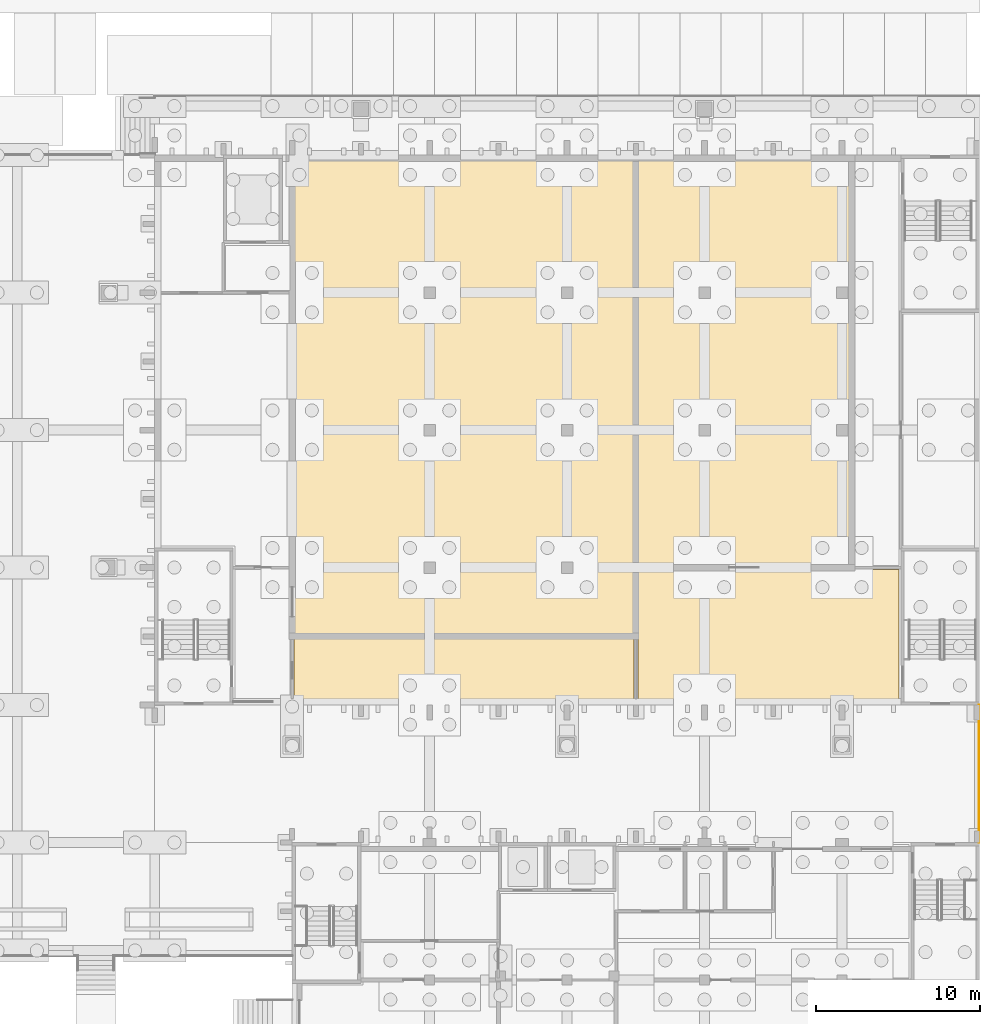
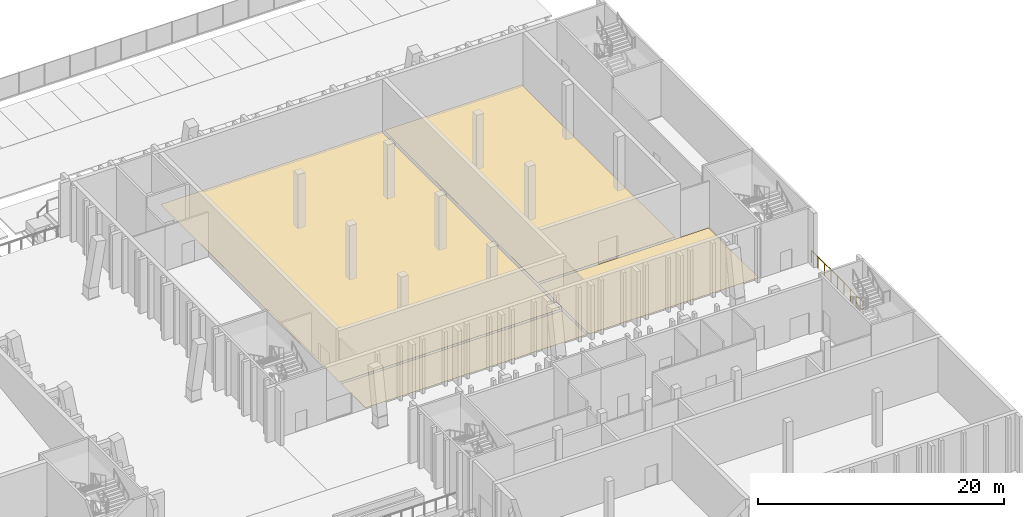
# One storey, part 125 of 129: 4 coverings, 1 railing.
"""IFC4 building model written with IfcOpenShell, lengths in metres."""

import ifcopenshell
import ifcopenshell.guid

model = None  # the IFC model being written
_history = None  # IfcOwnerHistory: only IFC2X3 demands one
_inside = {}  # id of a spatial element -> (the spatial element, [elements in it])
_under = {}  # id of a project, library or spatial element -> (it, [spatial elements below it])
_declared = {}  # id of a project -> (the project, [libraries it declares])
_typed = {}  # id of a type object -> (the type object, [elements of that type])
_made_of = {}  # id of a material, layer set ... -> (it, [elements and type objects made of it])


def new_model(schema):
    """Start an empty IFC model of exactly this schema.

    Asked for "IFC4X3", IfcOpenShell would pick the latest addendum, in which some entities
    have other attributes; the version numbers below select the first issue.
    IFC2X3 requires an IfcOwnerHistory on every rooted entity: one is made here for all.
    """
    global model, _history
    if schema == "IFC4X3":
        model = ifcopenshell.file(schema_version=(4, 3, 0, 0))
    else:
        model = ifcopenshell.file(schema=schema)
    _inside.clear()
    _under.clear()
    _declared.clear()
    _typed.clear()
    _made_of.clear()
    _history = None
    if model.schema == "IFC2X3":
        org = make("IfcOrganization", Name="unknown")
        user = make(
            "IfcPersonAndOrganization",
            ThePerson=make("IfcPerson", FamilyName="unknown"),
            TheOrganization=org,
        )
        app = make(
            "IfcApplication",
            ApplicationDeveloper=org,
            Version="unknown",
            ApplicationFullName="unknown",
            ApplicationIdentifier="unknown",
        )
        _history = make(
            "IfcOwnerHistory",
            OwningUser=user,
            OwningApplication=app,
            ChangeAction="ADDED",
            CreationDate=0,
        )
    return model


def make(cls, **values):
    """One entity of the class cls with the attributes given. An attribute that is None is left unset."""
    return model.create_entity(
        cls, **{name: value for name, value in values.items() if value is not None}
    )


def rooted(cls, **values):
    """An entity with a GlobalId (a new one), such as an element, a storey or a relation."""
    return make(cls, GlobalId=ifcopenshell.guid.new(), OwnerHistory=_history, **values)


def si_unit(unit_type, name, prefix=None):
    """IfcSIUnit, for example si_unit("LENGTHUNIT", "METRE", prefix="MILLI")."""
    return make("IfcSIUnit", UnitType=unit_type, Prefix=prefix, Name=name)


def assignment(units):
    """IfcUnitAssignment: the units of a project."""
    return None if units is None else make("IfcUnitAssignment", Units=units)


def point(xyz):
    """IfcCartesianPoint."""
    return None if xyz is None else make("IfcCartesianPoint", Coordinates=xyz)


def direction(xyz):
    """IfcDirection."""
    return None if xyz is None else make("IfcDirection", DirectionRatios=xyz)


def frame(location, z_axis=None, x_axis=None):
    """IfcAxis2Placement3D, a coordinate frame: its origin and axes. An axis left out is left unset."""
    return make(
        "IfcAxis2Placement3D",
        Location=point(location),
        Axis=direction(z_axis),
        RefDirection=direction(x_axis),
    )


def frame_2d(location, x_axis=None):
    """IfcAxis2Placement2D, a coordinate frame in the plane: its origin and x axis."""
    return make(
        "IfcAxis2Placement2D", Location=point(location), RefDirection=direction(x_axis)
    )


def origin():
    """The frame at (0, 0, 0) with its axes left unset."""
    return frame((0.0, 0.0, 0.0))


def origin_2d():
    """The frame at (0, 0) in the plane with its x axis left unset."""
    return frame_2d((0.0, 0.0))


def place(relative_to, where):
    """IfcLocalPlacement: puts the frame where relative to a parent placement (None: the world)."""
    return make(
        "IfcLocalPlacement", PlacementRelTo=relative_to, RelativePlacement=where
    )


def context(
    kind, dimensions, precision=None, world=None, true_north=None, identifier=None
):
    """IfcGeometricRepresentationContext, for example the 3D "Model" context."""
    return make(
        "IfcGeometricRepresentationContext",
        ContextIdentifier=identifier,
        ContextType=kind,
        CoordinateSpaceDimension=dimensions,
        Precision=precision,
        WorldCoordinateSystem=world,
        TrueNorth=true_north,
    )


def subcontext(parent, identifier, kind, view, scale=None):
    """IfcGeometricRepresentationSubContext, for example "Body" below "Model"."""
    return make(
        "IfcGeometricRepresentationSubContext",
        ContextIdentifier=identifier,
        ContextType=kind,
        ParentContext=parent,
        TargetScale=scale,
        TargetView=view,
    )


def project(units=None, contexts=None):
    """IfcProject with its units and contexts."""
    return rooted(
        "IfcProject",
        Name="project",
        RepresentationContexts=contexts,
        UnitsInContext=assignment(units),
    )


def spatial(cls, under=None, at=None, **own):
    """A site, building, storey or space (cls), placed at a placement, below another one or the project."""
    s = rooted(cls, ObjectPlacement=at, **own)
    if under is not None:
        _under.setdefault(under.id(), (under, []))[1].append(s)
    return s


def polyline(points):
    """IfcPolyline through the points."""
    return make("IfcPolyline", Points=[point(p) for p in points])


def profile(cls, at=None, kind="AREA", **sizes):
    """A parametric profile (cls). Its sizes go by their IFC names, for example OverallWidth=200.0."""
    return make(cls, ProfileType=kind, Position=at, **sizes)


def circle(**sizes):
    """IfcCircleProfileDef."""
    return profile("IfcCircleProfileDef", **sizes)


def outline(outer, holes=None, kind="AREA"):
    """IfcArbitraryClosedProfileDef: a profile drawn as a closed curve; with holes, ...WithVoids."""
    if holes is None:
        return make("IfcArbitraryClosedProfileDef", ProfileType=kind, OuterCurve=outer)
    return make(
        "IfcArbitraryProfileDefWithVoids",
        ProfileType=kind,
        OuterCurve=outer,
        InnerCurves=holes,
    )


def extrude(swept, where, along, depth):
    """IfcExtrudedAreaSolid: the profile swept, set in the frame where, extruded along a direction by depth."""
    return make(
        "IfcExtrudedAreaSolid",
        SweptArea=swept,
        Position=where,
        ExtrudedDirection=direction(along),
        Depth=depth,
    )


def shape(context_of_items, identifier, shape_type, items):
    """IfcShapeRepresentation: the items that make up one representation, for example the "Body"."""
    return make(
        "IfcShapeRepresentation",
        ContextOfItems=context_of_items,
        RepresentationIdentifier=identifier,
        RepresentationType=shape_type,
        Items=items,
    )


def material(Name=None, Category=None):
    """IfcMaterial."""
    return make("IfcMaterial", Name=Name, Category=Category)


def layer(
    of_material, thickness, ventilated=None, Name=None, Category=None, Priority=None
):
    """IfcMaterialLayer: one layer of a wall or slab, of a material (None: an air gap)."""
    return make(
        "IfcMaterialLayer",
        Material=of_material,
        LayerThickness=thickness,
        IsVentilated=ventilated,
        Name=Name,
        Category=Category,
        Priority=Priority,
    )


def layer_set(layers, Name=None):
    """IfcMaterialLayerSet."""
    return make("IfcMaterialLayerSet", MaterialLayers=layers, LayerSetName=Name)


def made_of(thing, what):
    """Note that an element or type object is made of a material, layer set ...; save() writes the relation."""
    if what is not None:
        _made_of.setdefault(what.id(), (what, []))[1].append(thing)
    return thing


def type_object(cls, material=None, **own):
    """A type object (cls), such as IfcWallType, which elements share."""
    return made_of(rooted(cls, **own), material)


def element(
    cls,
    number,
    at=None,
    inside=None,
    cuts=None,
    type_object=None,
    material=None,
    context=None,
    identifier="Body",
    shape_type=None,
    held_by="IfcProductDefinitionShape",
    body=None,
    shapes=None,
    **own,
):
    """One element of the class cls, such as IfcWall. Its Tag is "e" and its number.

    at: its placement. inside: the storey or other place that contains it. cuts: it is an
    opening in that element (IfcRelVoidsElement). A single representation is given by context,
    identifier, shape_type and body (its items); several are given by shapes. held_by: the class
    of the entity that holds the representations. save() writes the other relations.
    """
    e = rooted(cls, Tag="e%d" % number, ObjectPlacement=at, **own)
    if body is not None:
        shapes = [shape(context, identifier, shape_type, body)]
    if shapes is not None:
        e.Representation = make(held_by, Representations=shapes)
    if inside is not None:
        _inside.setdefault(inside.id(), (inside, []))[1].append(e)
    if cuts is not None:
        rooted(
            "IfcRelVoidsElement", RelatingBuildingElement=cuts, RelatedOpeningElement=e
        )
    if type_object is not None:
        _typed.setdefault(type_object.id(), (type_object, []))[1].append(e)
    return made_of(e, material)


def aggregate(whole, parts):
    """IfcRelAggregates: a whole, such as a stair, and the parts it consists of."""
    return rooted("IfcRelAggregates", RelatingObject=whole, RelatedObjects=parts)


def save(model, path):
    """Write the relations noted so far, then the file.

    IfcRelAggregates (storeys below a building ...), IfcRelContainedInSpatialStructure (elements
    in a storey), IfcRelDefinesByType, IfcRelAssociatesMaterial and IfcRelDeclares: one each for
    every whole, place, type object, material and project.
    """
    for whole, parts in _under.values():
        aggregate(whole, parts)
    for where, things in _inside.values():
        rooted(
            "IfcRelContainedInSpatialStructure",
            RelatedElements=things,
            RelatingStructure=where,
        )
    for kind, things in _typed.values():
        rooted("IfcRelDefinesByType", RelatedObjects=things, RelatingType=kind)
    for what, things in _made_of.values():
        rooted("IfcRelAssociatesMaterial", RelatedObjects=things, RelatingMaterial=what)
    for by, libraries in _declared.values():
        rooted("IfcRelDeclares", RelatingContext=by, RelatedDefinitions=libraries)
    model.write(path)


model = new_model("IFC4")

# Units and contexts
model_context = context("Model", 3, precision=1e-05, world=origin(), true_north=direction((0.0, 1.0)))
body_context = subcontext(model_context, "Body", "Model", "MODEL_VIEW")
ifc_project = project(units=[si_unit("LENGTHUNIT", "METRE"), si_unit("AREAUNIT", "SQUARE_METRE"), si_unit("VOLUMEUNIT", "CUBIC_METRE"), si_unit("PLANEANGLEUNIT", "RADIAN"), si_unit("MASSUNIT", "GRAM", prefix="KILO")], contexts=[model_context])

# Site, building, storey
site_placement = place(None, origin())
site = spatial("IfcSite", under=ifc_project, at=site_placement, CompositionType="ELEMENT")
building_placement = place(site_placement, origin())
building = spatial("IfcBuilding", under=site, at=building_placement, Name="Kiln Court Media Centre", CompositionType="ELEMENT")
storey_placement = place(building_placement, origin())
storey = spatial("IfcBuildingStorey", under=building, at=storey_placement, Name="L00", CompositionType="ELEMENT", Elevation=0.0)

# Coverings
ifc_material_1 = material(Name="Carpet tile")
ifc_layer = layer(ifc_material_1, 0.014892578125)
ifc_layer_set = layer_set([ifc_layer], Name="Carpet tile floor finish 15")
covering_type = type_object("IfcCoveringType", Name="Carpet tile floor finish 15", PredefinedType="FLOORING", material=ifc_layer_set)
covering_1_placement = place(storey_placement, origin())
element("IfcCovering", 1, at=covering_1_placement, inside=storey, type_object=covering_type, Name="Studio A Sound Lock floor finish", PredefinedType="FLOORING", context=body_context, shape_type="SweptSolid", body=[
    extrude(outline(polyline([(126.1201171875, 33.719970703125), (146.8798828125, 33.719970703125), (146.8798828125, 37.679931640625), (126.1201171875, 37.679931640625), (126.1201171875, 33.719970703125)])), origin(), (0.0, 0.0, 1.0), 0.014892578125),
])
covering_2_placement = place(storey_placement, origin())
element("IfcCovering", 2, at=covering_2_placement, inside=storey, type_object=covering_type, Name="Studio B Sound Lock and Green Room floor finish", PredefinedType="FLOORING", context=body_context, shape_type="SweptSolid", body=[
    extrude(outline(polyline([(147.1201171875, 33.719970703125), (163.080078125, 33.719970703125), (163.080078125, 41.8798828125), (147.1201171875, 41.8798828125), (147.1201171875, 33.719970703125)])), origin(), (0.0, 0.0, 1.0), 0.014892578125),
])
covering_3_placement = place(storey_placement, origin())
element("IfcCovering", 3, at=covering_3_placement, inside=storey, type_object=covering_type, Name="Television Studio A floor finish", PredefinedType="FLOORING", context=body_context, shape_type="SweptSolid", body=[
    extrude(outline(polyline([(126.1201171875, 37.919921875), (146.8798828125, 37.919921875), (146.8798828125, 67.080078125), (126.1201171875, 67.080078125), (126.1201171875, 37.919921875)])), origin(), (0.0, 0.0, 1.0), 0.014892578125),
])
covering_4_placement = place(storey_placement, origin())
element("IfcCovering", 4, at=covering_4_placement, inside=storey, type_object=covering_type, Name="Television Studio B floor finish", PredefinedType="FLOORING", context=body_context, shape_type="SweptSolid", body=[
    extrude(outline(polyline([(147.1201171875, 42.1201171875), (160.080078125, 42.1201171875), (160.080078125, 67.080078125), (147.1201171875, 67.080078125), (147.1201171875, 42.1201171875)])), origin(), (0.0, 0.0, 1.0), 0.014892578125),
])

# Railing
ifc_material_2 = material(Name="Steel ASTM A572 Gr 50", Category="steel")
railing_type = type_object("IfcRailingType", Name="Steel guard rail 1100", PredefinedType="GUARDRAIL", material=ifc_material_2)
railing_placement = place(storey_placement, frame((167.97509765625, 25.199951171875, -0.14990234375)))
element("IfcRailing", 5, at=railing_placement, inside=storey, type_object=railing_type, Name="Deck edge guard 10", PredefinedType="GUARDRAIL", context=body_context, shape_type="SweptSolid", body=[
    extrude(circle(Radius=0.02392578125, at=origin_2d()), frame((0.0, 0.0, 1.22607421875), z_axis=(0.0, 1.0, 0.0), x_axis=(-1.0, 0.0, 0.0)), (0.0, 0.0, 1.0), 8.400146484375),
    extrude(circle(Radius=0.02099609375, at=origin_2d()), origin(), (0.0, 0.0, 1.0), 1.201904296875),
    extrude(circle(Radius=0.02099609375, at=origin_2d()), frame((0.0, 1.050048828125, 0.0)), (0.0, 0.0, 1.0), 1.201904296875),
    extrude(circle(Radius=0.02099609375, at=origin_2d()), frame((0.0, 2.10009765625, 0.0)), (0.0, 0.0, 1.0), 1.201904296875),
    extrude(circle(Radius=0.02099609375, at=origin_2d()), frame((0.0, 3.150146484375, 0.0)), (0.0, 0.0, 1.0), 1.201904296875),
    extrude(circle(Radius=0.02099609375, at=origin_2d()), frame((0.0, 4.2001953125, 0.0)), (0.0, 0.0, 1.0), 1.201904296875),
    extrude(circle(Radius=0.02099609375, at=origin_2d()), frame((0.0, 5.25, 0.0)), (0.0, 0.0, 1.0), 1.201904296875),
    extrude(circle(Radius=0.02099609375, at=origin_2d()), frame((0.0, 6.300048828125, 0.0)), (0.0, 0.0, 1.0), 1.201904296875),
    extrude(circle(Radius=0.02099609375, at=origin_2d()), frame((0.0, 7.35009765625, 0.0)), (0.0, 0.0, 1.0), 1.201904296875),
    extrude(circle(Radius=0.02099609375, at=origin_2d()), frame((0.0, 8.400146484375, 0.0)), (0.0, 0.0, 1.0), 1.201904296875),
])

save(model, "model.ifc")
